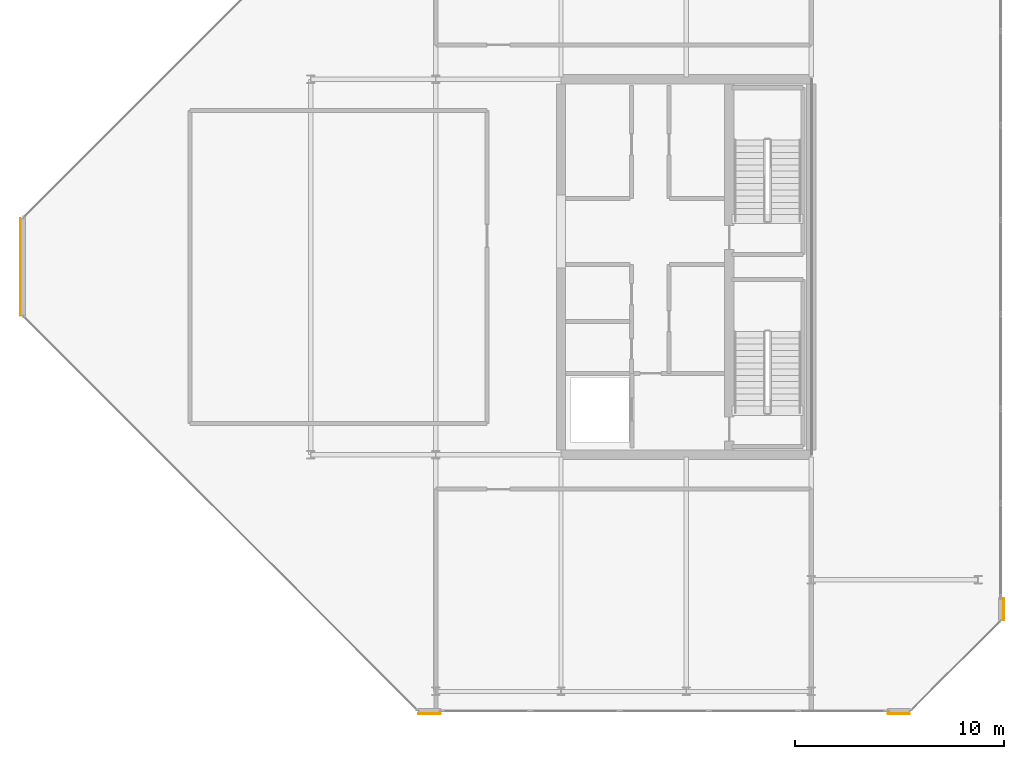
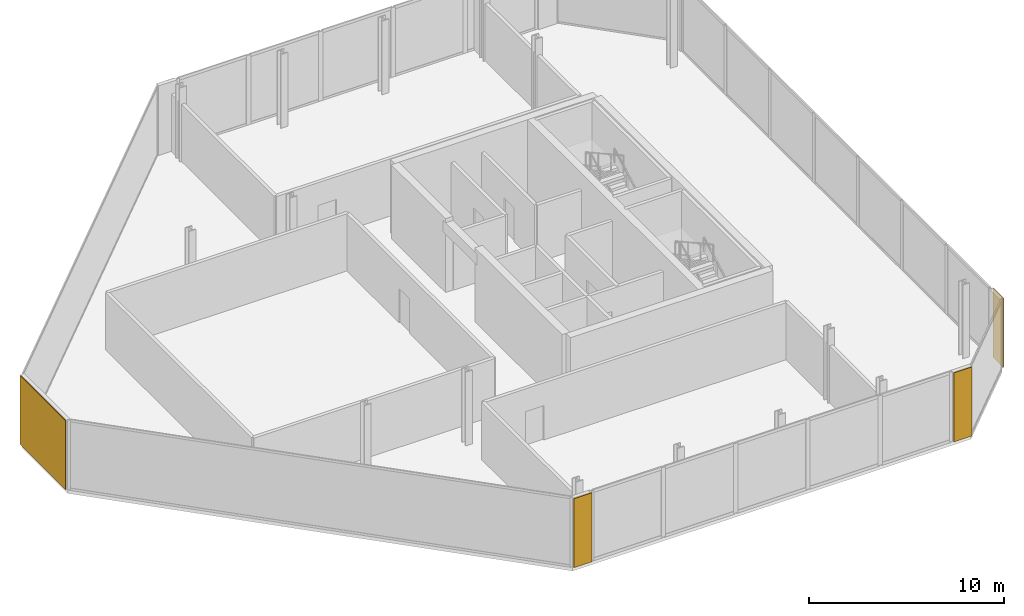
# One storey, part 15 of 16: 4 coverings.
"""IFC4 building model written with IfcOpenShell, lengths in metres."""

from ifc_helpers import new_model, si_unit, direction, frame, origin, origin_2d, place, context, subcontext, project, spatial, rectangle, extrude, material, layer, layer_set, type_object, element, save


model = new_model("IFC4")

# Units and contexts
model_context = context("Model", 3, precision=1e-05, world=origin(), true_north=direction((0.0, 1.0)))
body_context = subcontext(model_context, "Body", "Model", "MODEL_VIEW")
ifc_project = project(units=[si_unit("LENGTHUNIT", "METRE"), si_unit("AREAUNIT", "SQUARE_METRE"), si_unit("VOLUMEUNIT", "CUBIC_METRE"), si_unit("PLANEANGLEUNIT", "RADIAN"), si_unit("MASSUNIT", "GRAM", prefix="KILO")], contexts=[model_context])

# Site, building, storey
site_placement = place(None, origin())
site = spatial("IfcSite", under=ifc_project, at=site_placement, CompositionType="ELEMENT")
building_placement = place(site_placement, origin())
building = spatial("IfcBuilding", under=site, at=building_placement, Name="Tanjung Sevakor Pilgrim Tower", CompositionType="ELEMENT")
storey_placement = place(building_placement, frame((0.0, 0.0, 283.139892578125)))
storey = spatial("IfcBuildingStorey", under=building, at=storey_placement, Name="L79", CompositionType="ELEMENT", Elevation=283.139892578125)

# Coverings
ifc_material = material(Name="Reconstructed Limestone Cladding", Category="masonry")
ifc_layer = layer(ifc_material, 0.044921875)
ifc_layer_set = layer_set([ifc_layer], Name="COV-CLAD-LIMESTONE")
covering_type = type_object("IfcCoveringType", Name="COV-CLAD-LIMESTONE", PredefinedType="CLADDING", material=ifc_layer_set)
for number, where, z_axis, x_axis, name in (
    (1, (71.695556640625, 12.177490234375, 0.02001953125), (0.0, 0.0, 1.0), (1.0, 0.0, 0.0), "L79 Warm Limestone Wall Cladding EW-CRN1-L79-EAST-0-1"),
    (2, (94.204345703125, 12.177490234375, 0.02001953125), (0.0, 0.0, 1.0), (1.0, 0.0, 0.0), "L79 Warm Limestone Wall Cladding EW-CRN2-L79-EAST-0-1"),
    (3, (99.222412109375, 17.195556640625, 0.02001953125), (0.0, 0.0, 1.0), (0.0, 1.0, 0.0), "L79 Warm Limestone Wall Cladding EW-CRN1-L79-EAST-2-1"),
):
    element("IfcCovering", number, at=place(storey_placement, frame(where, z_axis=z_axis, x_axis=x_axis)), inside=storey, type_object=covering_type, Name=name, PredefinedType="CLADDING", context=body_context, shape_type="SweptSolid", body=[
        extrude(rectangle(XDim=1.06005859375, YDim=0.044921875, at=origin_2d()), origin(), (0.0, 0.0, 1.0), 4.320068359375),
    ])
covering_placement = place(storey_placement, frame((52.077392578125, 33.60009765625, 0.02001953125), z_axis=(0.0, 0.0, 1.0), x_axis=(0.0, -1.0, 0.0)))
element("IfcCovering", 4, at=covering_placement, inside=storey, type_object=covering_type, Name="L79 Warm Limestone Wall Cladding EW-L79-EAST-7", PredefinedType="CLADDING", context=body_context, shape_type="SweptSolid", body=[
    extrude(rectangle(XDim=4.668701171875, YDim=0.044921875, at=origin_2d()), origin(), (0.0, 0.0, 1.0), 4.320068359375),
])

save(model, "model.ifc")
